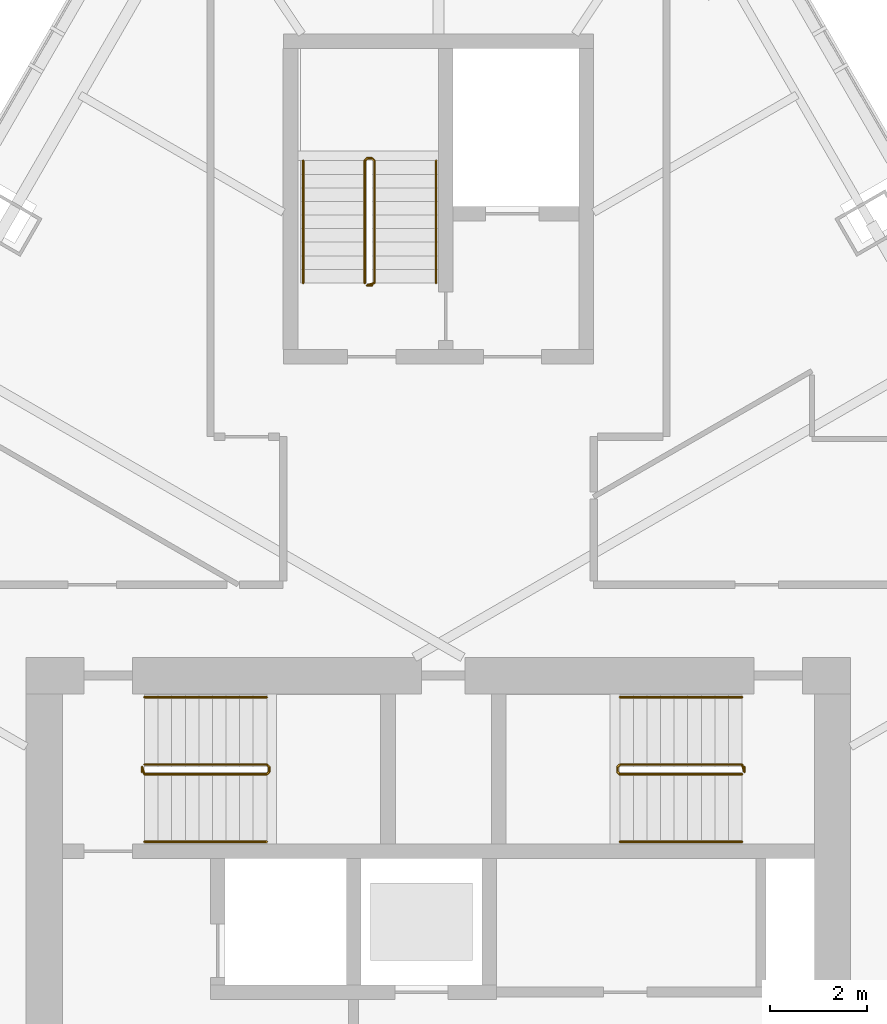
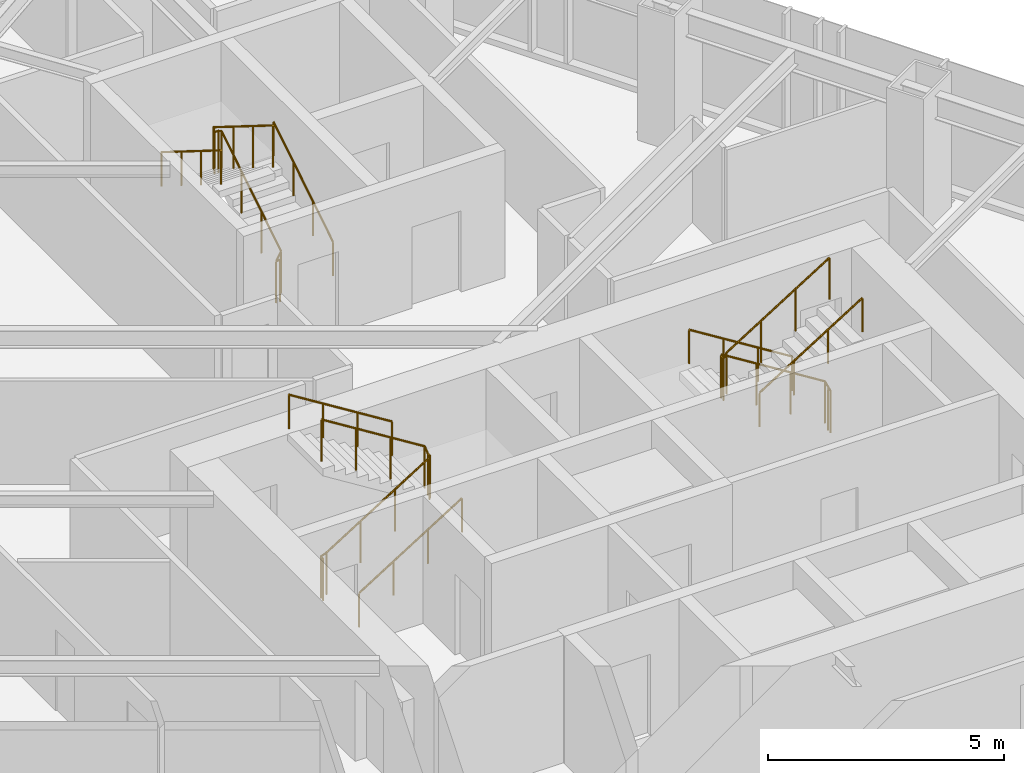
# One storey, part 17 of 18: 9 railings.
"""IFC4 building model written with IfcOpenShell, lengths in metres."""

import ifcopenshell
import ifcopenshell.guid

model = None  # the IFC model being written
_history = None  # IfcOwnerHistory: only IFC2X3 demands one
_inside = {}  # id of a spatial element -> (the spatial element, [elements in it])
_under = {}  # id of a project, library or spatial element -> (it, [spatial elements below it])
_declared = {}  # id of a project -> (the project, [libraries it declares])
_typed = {}  # id of a type object -> (the type object, [elements of that type])
_made_of = {}  # id of a material, layer set ... -> (it, [elements and type objects made of it])


def new_model(schema):
    """Start an empty IFC model of exactly this schema.

    Asked for "IFC4X3", IfcOpenShell would pick the latest addendum, in which some entities
    have other attributes; the version numbers below select the first issue.
    IFC2X3 requires an IfcOwnerHistory on every rooted entity: one is made here for all.
    """
    global model, _history
    if schema == "IFC4X3":
        model = ifcopenshell.file(schema_version=(4, 3, 0, 0))
    else:
        model = ifcopenshell.file(schema=schema)
    _inside.clear()
    _under.clear()
    _declared.clear()
    _typed.clear()
    _made_of.clear()
    _history = None
    if model.schema == "IFC2X3":
        org = make("IfcOrganization", Name="unknown")
        user = make(
            "IfcPersonAndOrganization",
            ThePerson=make("IfcPerson", FamilyName="unknown"),
            TheOrganization=org,
        )
        app = make(
            "IfcApplication",
            ApplicationDeveloper=org,
            Version="unknown",
            ApplicationFullName="unknown",
            ApplicationIdentifier="unknown",
        )
        _history = make(
            "IfcOwnerHistory",
            OwningUser=user,
            OwningApplication=app,
            ChangeAction="ADDED",
            CreationDate=0,
        )
    return model


def make(cls, **values):
    """One entity of the class cls with the attributes given. An attribute that is None is left unset."""
    return model.create_entity(
        cls, **{name: value for name, value in values.items() if value is not None}
    )


def rooted(cls, **values):
    """An entity with a GlobalId (a new one), such as an element, a storey or a relation."""
    return make(cls, GlobalId=ifcopenshell.guid.new(), OwnerHistory=_history, **values)


def si_unit(unit_type, name, prefix=None):
    """IfcSIUnit, for example si_unit("LENGTHUNIT", "METRE", prefix="MILLI")."""
    return make("IfcSIUnit", UnitType=unit_type, Prefix=prefix, Name=name)


def assignment(units):
    """IfcUnitAssignment: the units of a project."""
    return None if units is None else make("IfcUnitAssignment", Units=units)


def point(xyz):
    """IfcCartesianPoint."""
    return None if xyz is None else make("IfcCartesianPoint", Coordinates=xyz)


def direction(xyz):
    """IfcDirection."""
    return None if xyz is None else make("IfcDirection", DirectionRatios=xyz)


def frame(location, z_axis=None, x_axis=None):
    """IfcAxis2Placement3D, a coordinate frame: its origin and axes. An axis left out is left unset."""
    return make(
        "IfcAxis2Placement3D",
        Location=point(location),
        Axis=direction(z_axis),
        RefDirection=direction(x_axis),
    )


def frame_2d(location, x_axis=None):
    """IfcAxis2Placement2D, a coordinate frame in the plane: its origin and x axis."""
    return make(
        "IfcAxis2Placement2D", Location=point(location), RefDirection=direction(x_axis)
    )


def origin():
    """The frame at (0, 0, 0) with its axes left unset."""
    return frame((0.0, 0.0, 0.0))


def origin_2d():
    """The frame at (0, 0) in the plane with its x axis left unset."""
    return frame_2d((0.0, 0.0))


def place(relative_to, where):
    """IfcLocalPlacement: puts the frame where relative to a parent placement (None: the world)."""
    return make(
        "IfcLocalPlacement", PlacementRelTo=relative_to, RelativePlacement=where
    )


def context(
    kind, dimensions, precision=None, world=None, true_north=None, identifier=None
):
    """IfcGeometricRepresentationContext, for example the 3D "Model" context."""
    return make(
        "IfcGeometricRepresentationContext",
        ContextIdentifier=identifier,
        ContextType=kind,
        CoordinateSpaceDimension=dimensions,
        Precision=precision,
        WorldCoordinateSystem=world,
        TrueNorth=true_north,
    )


def subcontext(parent, identifier, kind, view, scale=None):
    """IfcGeometricRepresentationSubContext, for example "Body" below "Model"."""
    return make(
        "IfcGeometricRepresentationSubContext",
        ContextIdentifier=identifier,
        ContextType=kind,
        ParentContext=parent,
        TargetScale=scale,
        TargetView=view,
    )


def project(units=None, contexts=None):
    """IfcProject with its units and contexts."""
    return rooted(
        "IfcProject",
        Name="project",
        RepresentationContexts=contexts,
        UnitsInContext=assignment(units),
    )


def spatial(cls, under=None, at=None, **own):
    """A site, building, storey or space (cls), placed at a placement, below another one or the project."""
    s = rooted(cls, ObjectPlacement=at, **own)
    if under is not None:
        _under.setdefault(under.id(), (under, []))[1].append(s)
    return s


def profile(cls, at=None, kind="AREA", **sizes):
    """A parametric profile (cls). Its sizes go by their IFC names, for example OverallWidth=200.0."""
    return make(cls, ProfileType=kind, Position=at, **sizes)


def circle(**sizes):
    """IfcCircleProfileDef."""
    return profile("IfcCircleProfileDef", **sizes)


def extrude(swept, where, along, depth):
    """IfcExtrudedAreaSolid: the profile swept, set in the frame where, extruded along a direction by depth."""
    return make(
        "IfcExtrudedAreaSolid",
        SweptArea=swept,
        Position=where,
        ExtrudedDirection=direction(along),
        Depth=depth,
    )


def shape(context_of_items, identifier, shape_type, items):
    """IfcShapeRepresentation: the items that make up one representation, for example the "Body"."""
    return make(
        "IfcShapeRepresentation",
        ContextOfItems=context_of_items,
        RepresentationIdentifier=identifier,
        RepresentationType=shape_type,
        Items=items,
    )


def material(Name=None, Category=None):
    """IfcMaterial."""
    return make("IfcMaterial", Name=Name, Category=Category)


def made_of(thing, what):
    """Note that an element or type object is made of a material, layer set ...; save() writes the relation."""
    if what is not None:
        _made_of.setdefault(what.id(), (what, []))[1].append(thing)
    return thing


def type_object(cls, material=None, **own):
    """A type object (cls), such as IfcWallType, which elements share."""
    return made_of(rooted(cls, **own), material)


def element(
    cls,
    number,
    at=None,
    inside=None,
    cuts=None,
    type_object=None,
    material=None,
    context=None,
    identifier="Body",
    shape_type=None,
    held_by="IfcProductDefinitionShape",
    body=None,
    shapes=None,
    **own,
):
    """One element of the class cls, such as IfcWall. Its Tag is "e" and its number.

    at: its placement. inside: the storey or other place that contains it. cuts: it is an
    opening in that element (IfcRelVoidsElement). A single representation is given by context,
    identifier, shape_type and body (its items); several are given by shapes. held_by: the class
    of the entity that holds the representations. save() writes the other relations.
    """
    e = rooted(cls, Tag="e%d" % number, ObjectPlacement=at, **own)
    if body is not None:
        shapes = [shape(context, identifier, shape_type, body)]
    if shapes is not None:
        e.Representation = make(held_by, Representations=shapes)
    if inside is not None:
        _inside.setdefault(inside.id(), (inside, []))[1].append(e)
    if cuts is not None:
        rooted(
            "IfcRelVoidsElement", RelatingBuildingElement=cuts, RelatedOpeningElement=e
        )
    if type_object is not None:
        _typed.setdefault(type_object.id(), (type_object, []))[1].append(e)
    return made_of(e, material)


def aggregate(whole, parts):
    """IfcRelAggregates: a whole, such as a stair, and the parts it consists of."""
    return rooted("IfcRelAggregates", RelatingObject=whole, RelatedObjects=parts)


def save(model, path):
    """Write the relations noted so far, then the file.

    IfcRelAggregates (storeys below a building ...), IfcRelContainedInSpatialStructure (elements
    in a storey), IfcRelDefinesByType, IfcRelAssociatesMaterial and IfcRelDeclares: one each for
    every whole, place, type object, material and project.
    """
    for whole, parts in _under.values():
        aggregate(whole, parts)
    for where, things in _inside.values():
        rooted(
            "IfcRelContainedInSpatialStructure",
            RelatedElements=things,
            RelatingStructure=where,
        )
    for kind, things in _typed.values():
        rooted("IfcRelDefinesByType", RelatedObjects=things, RelatingType=kind)
    for what, things in _made_of.values():
        rooted("IfcRelAssociatesMaterial", RelatedObjects=things, RelatingMaterial=what)
    for by, libraries in _declared.values():
        rooted("IfcRelDeclares", RelatingContext=by, RelatedDefinitions=libraries)
    model.write(path)


model = new_model("IFC4")

# Units and contexts
model_context = context("Model", 3, precision=1e-05, world=origin(), true_north=direction((0.0, 1.0)))
body_context = subcontext(model_context, "Body", "Model", "MODEL_VIEW")
ifc_project = project(units=[si_unit("LENGTHUNIT", "METRE"), si_unit("AREAUNIT", "SQUARE_METRE"), si_unit("VOLUMEUNIT", "CUBIC_METRE"), si_unit("PLANEANGLEUNIT", "RADIAN"), si_unit("MASSUNIT", "GRAM", prefix="KILO")], contexts=[model_context])

# Site, building, storey
site_placement = place(None, origin())
site = spatial("IfcSite", under=ifc_project, at=site_placement, CompositionType="ELEMENT")
building_placement = place(site_placement, origin())
building = spatial("IfcBuilding", under=site, at=building_placement, Name="Firuza Gate Tower and Library", CompositionType="ELEMENT")
storey_placement = place(building_placement, frame((0.0, 0.0, 298.60009765625)))
storey = spatial("IfcBuildingStorey", under=building, at=storey_placement, Name="L72", CompositionType="ELEMENT", Elevation=298.60009765625)

# Railings
ifc_material_1 = material(Name="Steel S355", Category="steel")
railing_type_1 = type_object("IfcRailingType", Name="Stair guard 1100", PredefinedType="GUARDRAIL", material=ifc_material_1)
railing_1_placement = place(storey_placement, frame((68.889892578125, 79.389892578125, 0.0)))
element("IfcRailing", 1, at=railing_1_placement, inside=storey, type_object=railing_type_1, Name="L72 ST1 stair guard 1", PredefinedType="GUARDRAIL", context=body_context, shape_type="SweptSolid", body=[
    extrude(circle(Radius=0.02392578125, at=origin_2d()), frame((0.0, 0.0, 1.076171875), z_axis=(0.0, 1.0, 0.0), x_axis=(-1.0, 0.0, 0.0)), (0.0, 0.0, 1.0), 0.10009765625),
    extrude(circle(Radius=0.02392578125, at=origin_2d()), frame((0.0, 0.10009765625, 1.076171875), z_axis=(0.212383695785, -0.636115069328, 0.741788908207), x_axis=(0.948528701346, 0.316691178788, 0.0)), (0.0, 0.0, 1.0), 0.235595703125),
    extrude(circle(Radius=0.02392578125, at=origin_2d()), frame((0.050048828125, -0.0498046875, 1.2509765625), z_axis=(0.847970611238, 0.0, 0.530043245855), x_axis=(0.0, 1.0, 0.0)), (0.0, 0.0, 1.0), 2.971923828125),
    extrude(circle(Radius=0.02392578125, at=origin_2d()), frame((2.570068359375, -0.0498046875, 2.826171875), z_axis=(0.708833529934, 0.705375805398, 0.0), x_axis=(-0.705375805398, 0.708833529934, 0.0)), (0.0, 0.0, 1.0), 0.070556640625),
    extrude(circle(Radius=0.02392578125, at=origin_2d()), frame((2.6201171875, 0.0, 2.826171875), z_axis=(0.0, 1.0, 0.0), x_axis=(-1.0, 0.0, 0.0)), (0.0, 0.0, 1.0), 0.10009765625),
    extrude(circle(Radius=0.02392578125, at=origin_2d()), frame((2.6201171875, 0.10009765625, 2.826171875), z_axis=(-0.265383341853, 0.265383341853, 0.926899867156), x_axis=(-0.707106781187, -0.707106781187, 0.0)), (0.0, 0.0, 1.0), 0.1884765625),
    extrude(circle(Radius=0.02392578125, at=origin_2d()), frame((2.570068359375, 0.150146484375, 3.0009765625), z_axis=(-0.847970611238, 0.0, 0.530043245855), x_axis=(0.0, -1.0, 0.0)), (0.0, 0.0, 1.0), 2.971923828125),
    extrude(circle(Radius=0.02099609375, at=origin_2d()), origin(), (0.0, 0.0, 1.0), 1.052001953125),
    extrude(circle(Radius=0.02099609375, at=origin_2d()), frame((0.0, 0.10009765625, 0.0)), (0.0, 0.0, 1.0), 1.052001953125),
    extrude(circle(Radius=0.02099609375, at=origin_2d()), frame((0.050048828125, -0.0498046875, 0.1748046875)), (0.0, 0.0, 1.0), 1.052001953125),
    extrude(circle(Radius=0.02099609375, at=origin_2d()), frame((0.89013671875, -0.0498046875, 0.699951171875)), (0.0, 0.0, 1.0), 1.052001953125),
    extrude(circle(Radius=0.02099609375, at=origin_2d()), frame((1.72998046875, -0.0498046875, 1.224853515625)), (0.0, 0.0, 1.0), 1.052001953125),
    extrude(circle(Radius=0.02099609375, at=origin_2d()), frame((2.570068359375, -0.0498046875, 1.75)), (0.0, 0.0, 1.0), 1.052001953125),
    extrude(circle(Radius=0.02099609375, at=origin_2d()), frame((2.6201171875, 0.0, 1.75)), (0.0, 0.0, 1.0), 1.052001953125),
    extrude(circle(Radius=0.02099609375, at=origin_2d()), frame((2.6201171875, 0.10009765625, 1.75)), (0.0, 0.0, 1.0), 1.052001953125),
    extrude(circle(Radius=0.02099609375, at=origin_2d()), frame((2.570068359375, 0.150146484375, 1.9248046875)), (0.0, 0.0, 1.0), 1.052001953125),
    extrude(circle(Radius=0.02099609375, at=origin_2d()), frame((1.72998046875, 0.150146484375, 2.449951171875)), (0.0, 0.0, 1.0), 1.052001953125),
    extrude(circle(Radius=0.02099609375, at=origin_2d()), frame((0.89013671875, 0.150146484375, 2.974853515625)), (0.0, 0.0, 1.0), 1.052001953125),
    extrude(circle(Radius=0.02099609375, at=origin_2d()), frame((0.050048828125, 0.150146484375, 3.5)), (0.0, 0.0, 1.0), 1.052001953125),
])
railing_2_placement = place(storey_placement, frame((81.31005859375, 79.489990234375, 0.0)))
element("IfcRailing", 2, at=railing_2_placement, inside=storey, type_object=railing_type_1, Name="L72 ST2 stair guard 1", PredefinedType="GUARDRAIL", context=body_context, shape_type="SweptSolid", body=[
    extrude(circle(Radius=0.02392578125, at=origin_2d()), frame((0.0, 0.0, 1.076171875), z_axis=(0.0, -1.0, 0.0), x_axis=(1.0, 0.0, 0.0)), (0.0, 0.0, 1.0), 0.10009765625),
    extrude(circle(Radius=0.02392578125, at=origin_2d()), frame((0.0, -0.10009765625, 1.076171875), z_axis=(-0.21224375372, 0.63673126116, 0.741300134944), x_axis=(-0.948683298051, -0.316227766017, 0.0)), (0.0, 0.0, 1.0), 0.23583984375),
    extrude(circle(Radius=0.02392578125, at=origin_2d()), frame((-0.050048828125, 0.050048828125, 1.2509765625), z_axis=(-0.847970611238, 0.0, 0.530043245855), x_axis=(0.0, -1.0, 0.0)), (0.0, 0.0, 1.0), 2.971923828125),
    extrude(circle(Radius=0.02392578125, at=origin_2d()), frame((-2.570068359375, 0.050048828125, 2.826171875), z_axis=(-0.707106781187, -0.707106781187, 0.0), x_axis=(0.707106781187, -0.707106781187, 0.0)), (0.0, 0.0, 1.0), 0.07080078125),
    extrude(circle(Radius=0.02392578125, at=origin_2d()), frame((-2.6201171875, 0.0, 2.826171875), z_axis=(0.0, -1.0, 0.0), x_axis=(1.0, 0.0, 0.0)), (0.0, 0.0, 1.0), 0.10009765625),
    extrude(circle(Radius=0.02392578125, at=origin_2d()), frame((-2.6201171875, -0.10009765625, 2.826171875), z_axis=(0.265474339444, -0.264179342666, 0.927217692888), x_axis=(0.705375805398, 0.708833529934, 0.0)), (0.0, 0.0, 1.0), 0.1884765625),
    extrude(circle(Radius=0.02392578125, at=origin_2d()), frame((-2.570068359375, -0.14990234375, 3.0009765625), z_axis=(0.847970611238, 0.0, 0.530043245855), x_axis=(0.0, 1.0, 0.0)), (0.0, 0.0, 1.0), 2.971923828125),
    extrude(circle(Radius=0.02099609375, at=origin_2d()), origin(), (0.0, 0.0, 1.0), 1.052001953125),
    extrude(circle(Radius=0.02099609375, at=origin_2d()), frame((0.0, -0.10009765625, 0.0)), (0.0, 0.0, 1.0), 1.052001953125),
    extrude(circle(Radius=0.02099609375, at=origin_2d()), frame((-0.050048828125, 0.050048828125, 0.1748046875)), (0.0, 0.0, 1.0), 1.052001953125),
    extrude(circle(Radius=0.02099609375, at=origin_2d()), frame((-0.89013671875, 0.050048828125, 0.699951171875)), (0.0, 0.0, 1.0), 1.052001953125),
    extrude(circle(Radius=0.02099609375, at=origin_2d()), frame((-1.72998046875, 0.050048828125, 1.224853515625)), (0.0, 0.0, 1.0), 1.052001953125),
    extrude(circle(Radius=0.02099609375, at=origin_2d()), frame((-2.570068359375, 0.050048828125, 1.75)), (0.0, 0.0, 1.0), 1.052001953125),
    extrude(circle(Radius=0.02099609375, at=origin_2d()), frame((-2.6201171875, 0.0, 1.75)), (0.0, 0.0, 1.0), 1.052001953125),
    extrude(circle(Radius=0.02099609375, at=origin_2d()), frame((-2.6201171875, -0.10009765625, 1.75)), (0.0, 0.0, 1.0), 1.052001953125),
    extrude(circle(Radius=0.02099609375, at=origin_2d()), frame((-2.570068359375, -0.14990234375, 1.9248046875)), (0.0, 0.0, 1.0), 1.052001953125),
    extrude(circle(Radius=0.02099609375, at=origin_2d()), frame((-1.72998046875, -0.14990234375, 2.449951171875)), (0.0, 0.0, 1.0), 1.052001953125),
    extrude(circle(Radius=0.02099609375, at=origin_2d()), frame((-0.89013671875, -0.14990234375, 2.974853515625)), (0.0, 0.0, 1.0), 1.052001953125),
    extrude(circle(Radius=0.02099609375, at=origin_2d()), frame((-0.050048828125, -0.14990234375, 3.5)), (0.0, 0.0, 1.0), 1.052001953125),
])
railing_3_placement = place(storey_placement, frame((73.6298828125, 89.419921875, 0.0)))
element("IfcRailing", 3, at=railing_3_placement, inside=storey, type_object=railing_type_1, Name="L72 ST3 stair guard 1", PredefinedType="GUARDRAIL", context=body_context, shape_type="SweptSolid", body=[
    extrude(circle(Radius=0.02392578125, at=origin_2d()), frame((0.0, 0.0, 1.076171875), z_axis=(-1.0, 0.0, 0.0), x_axis=(0.0, -1.0, 0.0)), (0.0, 0.0, 1.0), 0.099853515625),
    extrude(circle(Radius=0.02392578125, at=origin_2d()), frame((-0.099853515625, 0.0, 1.076171875), z_axis=(0.636115069328, 0.212383695785, 0.741788908207), x_axis=(-0.316691178788, 0.948528701346, 0.0)), (0.0, 0.0, 1.0), 0.235595703125),
    extrude(circle(Radius=0.02392578125, at=origin_2d()), frame((0.050048828125, 0.050048828125, 1.2509765625), z_axis=(0.0, 0.847970611238, 0.530043245855), x_axis=(-1.0, 0.0, 0.0)), (0.0, 0.0, 1.0), 2.971923828125),
    extrude(circle(Radius=0.02392578125, at=origin_2d()), frame((0.050048828125, 2.570068359375, 2.826171875), z_axis=(-0.707106781187, 0.707106781187, 0.0), x_axis=(-0.707106781187, -0.707106781187, 0.0)), (0.0, 0.0, 1.0), 0.07080078125),
    extrude(circle(Radius=0.02392578125, at=origin_2d()), frame((0.0, 2.6201171875, 2.826171875), z_axis=(-1.0, 0.0, 0.0), x_axis=(0.0, -1.0, 0.0)), (0.0, 0.0, 1.0), 0.099853515625),
    extrude(circle(Radius=0.02392578125, at=origin_2d()), frame((-0.099853515625, 2.6201171875, 2.826171875), z_axis=(-0.265383341853, -0.265383341853, 0.926899867156), x_axis=(0.707106781187, -0.707106781187, 0.0)), (0.0, 0.0, 1.0), 0.1884765625),
    extrude(circle(Radius=0.02392578125, at=origin_2d()), frame((-0.14990234375, 2.570068359375, 3.0009765625), z_axis=(0.0, -0.847970611238, 0.530043245855), x_axis=(1.0, 0.0, 0.0)), (0.0, 0.0, 1.0), 2.971923828125),
    extrude(circle(Radius=0.02099609375, at=origin_2d()), origin(), (0.0, 0.0, 1.0), 1.052001953125),
    extrude(circle(Radius=0.02099609375, at=origin_2d()), frame((-0.099853515625, 0.0, 0.0)), (0.0, 0.0, 1.0), 1.052001953125),
    extrude(circle(Radius=0.02099609375, at=origin_2d()), frame((0.050048828125, 0.050048828125, 0.1748046875)), (0.0, 0.0, 1.0), 1.052001953125),
    extrude(circle(Radius=0.02099609375, at=origin_2d()), frame((0.050048828125, 0.89013671875, 0.699951171875)), (0.0, 0.0, 1.0), 1.052001953125),
    extrude(circle(Radius=0.02099609375, at=origin_2d()), frame((0.050048828125, 1.72998046875, 1.224853515625)), (0.0, 0.0, 1.0), 1.052001953125),
    extrude(circle(Radius=0.02099609375, at=origin_2d()), frame((0.050048828125, 2.570068359375, 1.75)), (0.0, 0.0, 1.0), 1.052001953125),
    extrude(circle(Radius=0.02099609375, at=origin_2d()), frame((0.0, 2.6201171875, 1.75)), (0.0, 0.0, 1.0), 1.052001953125),
    extrude(circle(Radius=0.02099609375, at=origin_2d()), frame((-0.099853515625, 2.6201171875, 1.75)), (0.0, 0.0, 1.0), 1.052001953125),
    extrude(circle(Radius=0.02099609375, at=origin_2d()), frame((-0.14990234375, 2.570068359375, 1.9248046875)), (0.0, 0.0, 1.0), 1.052001953125),
    extrude(circle(Radius=0.02099609375, at=origin_2d()), frame((-0.14990234375, 1.72998046875, 2.449951171875)), (0.0, 0.0, 1.0), 1.052001953125),
    extrude(circle(Radius=0.02099609375, at=origin_2d()), frame((-0.14990234375, 0.89013671875, 2.974853515625)), (0.0, 0.0, 1.0), 1.052001953125),
    extrude(circle(Radius=0.02099609375, at=origin_2d()), frame((-0.14990234375, 0.050048828125, 3.5)), (0.0, 0.0, 1.0), 1.052001953125),
])
ifc_material_2 = material(Name="Steel S355", Category="steel")
railing_type_2 = type_object("IfcRailingType", Name="Stair handrail 900", PredefinedType="HANDRAIL", material=ifc_material_2)
railing_4_placement = place(storey_placement, frame((68.93994140625, 77.949951171875, 0.1748046875)))
element("IfcRailing", 4, at=railing_4_placement, inside=storey, type_object=railing_type_2, Name="L72 ST1 stair handrail 1", PredefinedType="HANDRAIL", context=body_context, shape_type="SweptSolid", body=[
    extrude(circle(Radius=0.02392578125, at=origin_2d()), frame((0.0, 0.0, 0.8759765625), z_axis=(0.847970611238, 0.0, 0.530043245855), x_axis=(0.0, 1.0, 0.0)), (0.0, 0.0, 1.0), 2.971923828125),
    extrude(circle(Radius=0.02099609375, at=origin_2d()), origin(), (0.0, 0.0, 1.0), 0.851806640625),
    extrude(circle(Radius=0.02099609375, at=origin_2d()), frame((0.840087890625, 0.0, 0.525146484375)), (0.0, 0.0, 1.0), 0.851806640625),
    extrude(circle(Radius=0.02099609375, at=origin_2d()), frame((1.679931640625, 0.0, 1.050048828125)), (0.0, 0.0, 1.0), 0.851806640625),
    extrude(circle(Radius=0.02099609375, at=origin_2d()), frame((2.52001953125, 0.0, 1.5751953125)), (0.0, 0.0, 1.0), 0.851806640625),
])
for number, where, name in (
    (5, (71.4599609375, 80.929931640625, 1.9248046875), "L72 ST1 stair handrail 2"),
    (6, (81.260009765625, 80.929931640625, 0.1748046875), "L72 ST2 stair handrail 1"),
):
    element("IfcRailing", number, at=place(storey_placement, frame(where)), inside=storey, type_object=railing_type_2, Name=name, PredefinedType="HANDRAIL", context=body_context, shape_type="SweptSolid", body=[
        extrude(circle(Radius=0.02392578125, at=origin_2d()), frame((0.0, 0.0, 0.8759765625), z_axis=(-0.847970611238, 0.0, 0.530043245855), x_axis=(0.0, -1.0, 0.0)), (0.0, 0.0, 1.0), 2.971923828125),
        extrude(circle(Radius=0.02099609375, at=origin_2d()), origin(), (0.0, 0.0, 1.0), 0.851806640625),
        extrude(circle(Radius=0.02099609375, at=origin_2d()), frame((-0.840087890625, 0.0, 0.525146484375)), (0.0, 0.0, 1.0), 0.851806640625),
        extrude(circle(Radius=0.02099609375, at=origin_2d()), frame((-1.679931640625, 0.0, 1.050048828125)), (0.0, 0.0, 1.0), 0.851806640625),
        extrude(circle(Radius=0.02099609375, at=origin_2d()), frame((-2.52001953125, 0.0, 1.5751953125)), (0.0, 0.0, 1.0), 0.851806640625),
    ])
railing_5_placement = place(storey_placement, frame((78.739990234375, 77.949951171875, 1.9248046875)))
element("IfcRailing", 7, at=railing_5_placement, inside=storey, type_object=railing_type_2, Name="L72 ST2 stair handrail 2", PredefinedType="HANDRAIL", context=body_context, shape_type="SweptSolid", body=[
    extrude(circle(Radius=0.02392578125, at=origin_2d()), frame((0.0, 0.0, 0.8759765625), z_axis=(0.847970611238, 0.0, 0.530043245855), x_axis=(0.0, 1.0, 0.0)), (0.0, 0.0, 1.0), 2.971923828125),
    extrude(circle(Radius=0.02099609375, at=origin_2d()), origin(), (0.0, 0.0, 1.0), 0.851806640625),
    extrude(circle(Radius=0.02099609375, at=origin_2d()), frame((0.840087890625, 0.0, 0.525146484375)), (0.0, 0.0, 1.0), 0.851806640625),
    extrude(circle(Radius=0.02099609375, at=origin_2d()), frame((1.679931640625, 0.0, 1.050048828125)), (0.0, 0.0, 1.0), 0.851806640625),
    extrude(circle(Radius=0.02099609375, at=origin_2d()), frame((2.52001953125, 0.0, 1.5751953125)), (0.0, 0.0, 1.0), 0.851806640625),
])
railing_6_placement = place(storey_placement, frame((74.949951171875, 89.469970703125, 0.1748046875)))
element("IfcRailing", 8, at=railing_6_placement, inside=storey, type_object=railing_type_2, Name="L72 ST3 stair handrail 1", PredefinedType="HANDRAIL", context=body_context, shape_type="SweptSolid", body=[
    extrude(circle(Radius=0.02392578125, at=origin_2d()), frame((0.0, 0.0, 0.8759765625), z_axis=(0.0, 0.847970611238, 0.530043245855), x_axis=(-1.0, 0.0, 0.0)), (0.0, 0.0, 1.0), 2.971923828125),
    extrude(circle(Radius=0.02099609375, at=origin_2d()), origin(), (0.0, 0.0, 1.0), 0.851806640625),
    extrude(circle(Radius=0.02099609375, at=origin_2d()), frame((0.0, 0.840087890625, 0.525146484375)), (0.0, 0.0, 1.0), 0.851806640625),
    extrude(circle(Radius=0.02099609375, at=origin_2d()), frame((0.0, 1.679931640625, 1.050048828125)), (0.0, 0.0, 1.0), 0.851806640625),
    extrude(circle(Radius=0.02099609375, at=origin_2d()), frame((0.0, 2.52001953125, 1.5751953125)), (0.0, 0.0, 1.0), 0.851806640625),
])
railing_7_placement = place(storey_placement, frame((72.2099609375, 91.989990234375, 1.9248046875)))
element("IfcRailing", 9, at=railing_7_placement, inside=storey, type_object=railing_type_2, Name="L72 ST3 stair handrail 2", PredefinedType="HANDRAIL", context=body_context, shape_type="SweptSolid", body=[
    extrude(circle(Radius=0.02392578125, at=origin_2d()), frame((0.0, 0.0, 0.8759765625), z_axis=(0.0, -0.847970611238, 0.530043245855), x_axis=(1.0, 0.0, 0.0)), (0.0, 0.0, 1.0), 2.971923828125),
    extrude(circle(Radius=0.02099609375, at=origin_2d()), origin(), (0.0, 0.0, 1.0), 0.851806640625),
    extrude(circle(Radius=0.02099609375, at=origin_2d()), frame((0.0, -0.840087890625, 0.525146484375)), (0.0, 0.0, 1.0), 0.851806640625),
    extrude(circle(Radius=0.02099609375, at=origin_2d()), frame((0.0, -1.679931640625, 1.050048828125)), (0.0, 0.0, 1.0), 0.851806640625),
    extrude(circle(Radius=0.02099609375, at=origin_2d()), frame((0.0, -2.52001953125, 1.5751953125)), (0.0, 0.0, 1.0), 0.851806640625),
])

save(model, "model.ifc")
